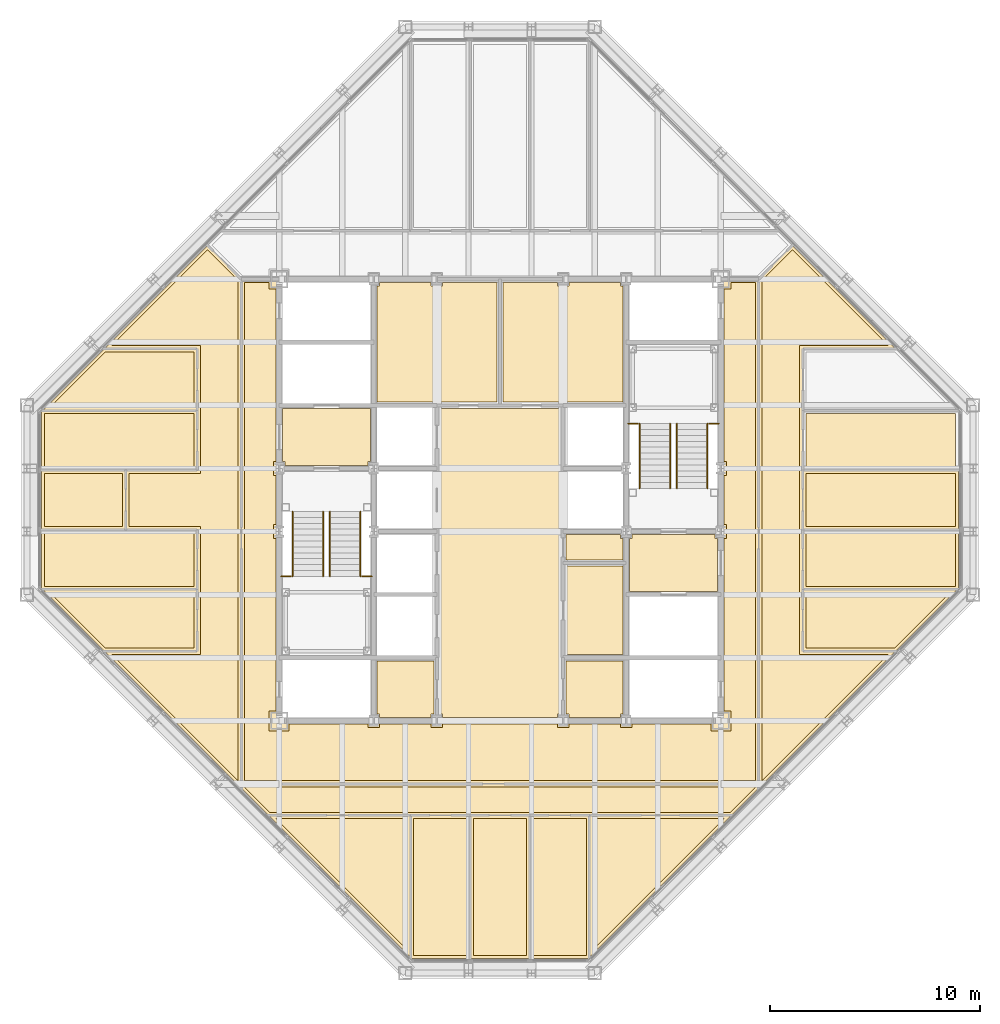
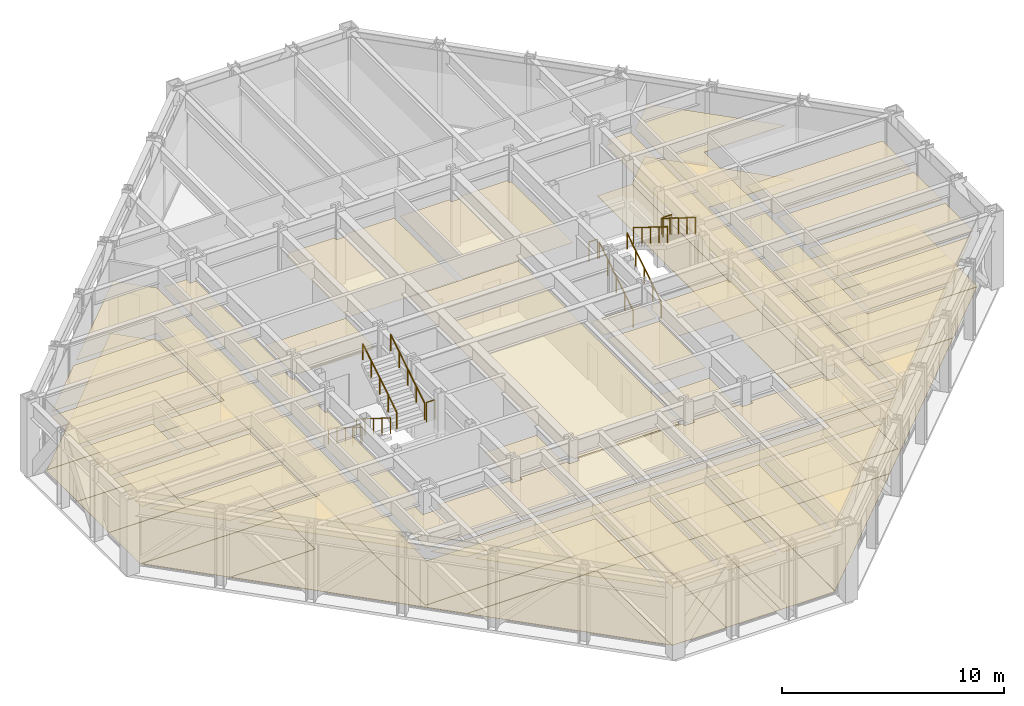
# One storey, part 14 of 15: 42 coverings, 12 railings.
"""IFC4 building model written with IfcOpenShell, lengths in metres."""

from ifc_helpers import new_model, si_unit, direction, frame, origin, origin_2d, place, context, subcontext, project, spatial, polyline, circle, outline, extrude, material, layer, layer_set, type_object, element, save


model = new_model("IFC4")

# Units and contexts
model_context = context("Model", 3, precision=1e-05, world=origin(), true_north=direction((0.0, 1.0)))
body_context = subcontext(model_context, "Body", "Model", "MODEL_VIEW")
ifc_project = project(units=[si_unit("LENGTHUNIT", "METRE"), si_unit("AREAUNIT", "SQUARE_METRE"), si_unit("VOLUMEUNIT", "CUBIC_METRE"), si_unit("PLANEANGLEUNIT", "RADIAN"), si_unit("MASSUNIT", "GRAM", prefix="KILO")], contexts=[model_context])

# Site, building, storey
site_placement = place(None, origin())
site = spatial("IfcSite", under=ifc_project, at=site_placement, CompositionType="ELEMENT")
building_placement = place(site_placement, origin())
building = spatial("IfcBuilding", under=site, at=building_placement, Name="Chuquiago Exchange Tower", CompositionType="ELEMENT")
storey_placement = place(building_placement, frame((0.0, 0.0, 262.199951171875)))
storey = spatial("IfcBuildingStorey", under=building, at=storey_placement, Name="L58", CompositionType="ELEMENT", Elevation=262.199951171875)

# Coverings
ifc_material_1 = material(Name="Mineral fibre tile, 600 x 600, on pale metal grid", Category="mineral fibre")
ifc_layer_1 = layer(ifc_material_1, 0.02001953125)
ifc_layer_set_1 = layer_set([ifc_layer_1], Name="CL1 suspended tile ceiling 20")
covering_type_1 = type_object("IfcCoveringType", Name="CL1 suspended tile ceiling 20", PredefinedType="CEILING", material=ifc_layer_set_1)
covering_1_placement = place(storey_placement, frame((0.0, 0.0, 3.0)))
element("IfcCovering", 1, at=covering_1_placement, inside=storey, type_object=covering_type_1, Name="Ceiling Conference room", PredefinedType="CEILING", context=body_context, shape_type="SweptSolid", body=[
    extrude(outline(polyline([(18.098388671875, 7.35009765625), (18.098388671875, 1.103515625), (11.85205078125, 7.35009765625), (18.098388671875, 7.35009765625)])), origin(), (0.0, 0.0, 1.0), 0.02001953125),
])
covering_2_placement = place(storey_placement, frame((0.0, 0.0, 3.0)))
element("IfcCovering", 2, at=covering_2_placement, inside=storey, type_object=covering_type_1, Name="Ceiling Executive office", PredefinedType="CEILING", context=body_context, shape_type="SweptSolid", body=[
    extrude(outline(polyline([(18.3984375, 7.35009765625), (20.932861328125, 7.35009765625), (20.932861328125, 0.85009765625), (18.3984375, 0.85009765625), (18.3984375, 7.35009765625)])), origin(), (0.0, 0.0, 1.0), 0.02001953125),
])
covering_3_placement = place(storey_placement, frame((0.0, 0.0, 3.0)))
element("IfcCovering", 3, at=covering_3_placement, inside=storey, type_object=covering_type_1, Name="Ceiling Executive office", PredefinedType="CEILING", context=body_context, shape_type="SweptSolid", body=[
    extrude(outline(polyline([(21.23291015625, 7.35009765625), (23.76708984375, 7.35009765625), (23.76708984375, 0.85009765625), (21.23291015625, 0.85009765625), (21.23291015625, 7.35009765625)])), origin(), (0.0, 0.0, 1.0), 0.02001953125),
])
covering_4_placement = place(storey_placement, frame((0.0, 0.0, 3.0)))
element("IfcCovering", 4, at=covering_4_placement, inside=storey, type_object=covering_type_1, Name="Ceiling Meeting room", PredefinedType="CEILING", context=body_context, shape_type="SweptSolid", body=[
    extrude(outline(polyline([(24.067138671875, 0.85009765625), (24.067138671875, 7.35009765625), (26.6015625, 7.35009765625), (26.6015625, 0.85009765625), (24.067138671875, 0.85009765625)])), origin(), (0.0, 0.0, 1.0), 0.02001953125),
])
covering_5_placement = place(storey_placement, frame((0.0, 0.0, 3.0)))
element("IfcCovering", 5, at=covering_5_placement, inside=storey, type_object=covering_type_1, Name="Ceiling Dining room", PredefinedType="CEILING", context=body_context, shape_type="SweptSolid", body=[
    extrude(outline(polyline([(26.901611328125, 7.35009765625), (33.14794921875, 7.35009765625), (26.901611328125, 1.103515625), (26.901611328125, 7.35009765625)])), origin(), (0.0, 0.0, 1.0), 0.02001953125),
])
covering_6_placement = place(storey_placement, frame((0.0, 0.0, 3.0)))
element("IfcCovering", 6, at=covering_6_placement, inside=storey, type_object=covering_type_1, Name="Ceiling Office", PredefinedType="CEILING", context=body_context, shape_type="SweptSolid", body=[
    extrude(outline(polyline([(37.050048828125, 15.45703125), (37.050048828125, 18.098388671875), (43.896484375, 18.098388671875), (41.255126953125, 15.45703125), (37.050048828125, 15.45703125)])), origin(), (0.0, 0.0, 1.0), 0.02001953125),
])
covering_7_placement = place(storey_placement, frame((0.0, 0.0, 3.0)))
element("IfcCovering", 7, at=covering_7_placement, inside=storey, type_object=covering_type_1, Name="Ceiling Executive office", PredefinedType="CEILING", context=body_context, shape_type="SweptSolid", body=[
    extrude(outline(polyline([(37.050048828125, 18.3984375), (37.050048828125, 20.932861328125), (44.14990234375, 20.932861328125), (44.14990234375, 18.3984375), (37.050048828125, 18.3984375)])), origin(), (0.0, 0.0, 1.0), 0.02001953125),
])
covering_8_placement = place(storey_placement, frame((0.0, 0.0, 3.0)))
element("IfcCovering", 8, at=covering_8_placement, inside=storey, type_object=covering_type_1, Name="Ceiling Executive office", PredefinedType="CEILING", context=body_context, shape_type="SweptSolid", body=[
    extrude(outline(polyline([(37.050048828125, 21.23291015625), (37.050048828125, 23.76708984375), (44.14990234375, 23.76708984375), (44.14990234375, 21.23291015625), (37.050048828125, 21.23291015625)])), origin(), (0.0, 0.0, 1.0), 0.02001953125),
])
covering_9_placement = place(storey_placement, frame((0.0, 0.0, 3.0)))
element("IfcCovering", 9, at=covering_9_placement, inside=storey, type_object=covering_type_1, Name="Ceiling Meeting room", PredefinedType="CEILING", context=body_context, shape_type="SweptSolid", body=[
    extrude(outline(polyline([(44.14990234375, 24.067138671875), (37.050048828125, 24.067138671875), (37.050048828125, 26.6015625), (44.14990234375, 26.6015625), (44.14990234375, 24.067138671875)])), origin(), (0.0, 0.0, 1.0), 0.02001953125),
])
covering_10_placement = place(storey_placement, frame((0.0, 0.0, 3.0)))
element("IfcCovering", 10, at=covering_10_placement, inside=storey, type_object=covering_type_1, Name="Ceiling Executive office", PredefinedType="CEILING", context=body_context, shape_type="SweptSolid", body=[
    extrude(outline(polyline([(7.949951171875, 18.098388671875), (7.949951171875, 15.45703125), (3.744873046875, 15.45703125), (1.103515625, 18.098388671875), (7.949951171875, 18.098388671875)])), origin(), (0.0, 0.0, 1.0), 0.02001953125),
])
covering_11_placement = place(storey_placement, frame((0.0, 0.0, 3.0)))
element("IfcCovering", 11, at=covering_11_placement, inside=storey, type_object=covering_type_1, Name="Ceiling Office", PredefinedType="CEILING", context=body_context, shape_type="SweptSolid", body=[
    extrude(outline(polyline([(0.85009765625, 20.932861328125), (7.949951171875, 20.932861328125), (7.949951171875, 18.3984375), (0.85009765625, 18.3984375), (0.85009765625, 20.932861328125)])), origin(), (0.0, 0.0, 1.0), 0.02001953125),
])
covering_12_placement = place(storey_placement, frame((0.0, 0.0, 3.0)))
element("IfcCovering", 12, at=covering_12_placement, inside=storey, type_object=covering_type_1, Name="Ceiling Pantry", PredefinedType="CEILING", context=body_context, shape_type="SweptSolid", body=[
    extrude(outline(polyline([(4.550048828125, 23.76708984375), (4.550048828125, 21.23291015625), (0.85009765625, 21.23291015625), (0.85009765625, 23.76708984375), (4.550048828125, 23.76708984375)])), origin(), (0.0, 0.0, 1.0), 0.02001953125),
])
covering_13_placement = place(storey_placement, frame((0.0, 0.0, 3.0)))
element("IfcCovering", 13, at=covering_13_placement, inside=storey, type_object=covering_type_1, Name="Ceiling Office", PredefinedType="CEILING", context=body_context, shape_type="SweptSolid", body=[
    extrude(outline(polyline([(7.949951171875, 26.6015625), (7.949951171875, 24.067138671875), (0.85009765625, 24.067138671875), (0.85009765625, 26.6015625), (7.949951171875, 26.6015625)])), origin(), (0.0, 0.0, 1.0), 0.02001953125),
])
covering_14_placement = place(storey_placement, frame((0.0, 0.0, 3.0)))
element("IfcCovering", 14, at=covering_14_placement, inside=storey, type_object=covering_type_1, Name="Ceiling Executive office", PredefinedType="CEILING", context=body_context, shape_type="SweptSolid", body=[
    extrude(outline(polyline([(7.949951171875, 29.54296875), (7.949951171875, 26.901611328125), (1.103515625, 26.901611328125), (3.744873046875, 29.54296875), (7.949951171875, 29.54296875)])), origin(), (0.0, 0.0, 1.0), 0.02001953125),
])
covering_15_placement = place(storey_placement, frame((0.0, 0.0, 3.0)))
element("IfcCovering", 15, at=covering_15_placement, inside=storey, type_object=covering_type_1, Name="Ceiling Executive corridor", PredefinedType="CEILING", context=body_context, shape_type="SweptSolid", body=[
    extrude(outline(polyline([(16.22509765625, 11.85009765625), (16.22509765625, 11.67578125), (16.77490234375, 11.67578125), (16.77490234375, 11.85009765625), (19.22509765625, 11.85009765625), (19.22509765625, 11.67578125), (19.77490234375, 11.67578125), (19.77490234375, 11.85009765625), (25.22509765625, 11.85009765625), (25.22509765625, 11.67578125), (25.77490234375, 11.67578125), (25.77490234375, 11.85009765625), (28.22509765625, 11.85009765625), (28.22509765625, 11.67578125), (28.77490234375, 11.67578125), (28.77490234375, 11.85009765625), (32.52490234375, 11.85009765625), (32.52490234375, 11.52490234375), (33.47509765625, 11.52490234375), (33.47509765625, 12.47509765625), (33.14990234375, 12.47509765625), (33.14990234375, 20.67578125), (33.27490234375, 20.67578125), (33.27490234375, 21.32421875), (33.14990234375, 21.32421875), (33.14990234375, 23.67578125), (33.27490234375, 23.67578125), (33.27490234375, 24.32421875), (33.14990234375, 24.32421875), (33.14990234375, 32.52490234375), (33.47509765625, 32.52490234375), (33.47509765625, 32.85009765625), (34.64990234375, 32.85009765625), (34.64990234375, 9.14990234375), (10.35009765625, 9.14990234375), (10.35009765625, 32.85009765625), (11.52490234375, 32.85009765625), (11.52490234375, 32.52490234375), (11.85009765625, 32.52490234375), (11.85009765625, 24.32421875), (11.72509765625, 24.32421875), (11.72509765625, 23.67578125), (11.85009765625, 23.67578125), (11.85009765625, 21.32421875), (11.72509765625, 21.32421875), (11.72509765625, 20.67578125), (11.85009765625, 20.67578125), (11.85009765625, 12.47509765625), (11.52490234375, 12.47509765625), (11.52490234375, 11.52490234375), (12.47509765625, 11.52490234375), (12.47509765625, 11.85009765625), (16.22509765625, 11.85009765625)])), origin(), (0.0, 0.0, 1.0), 0.02001953125),
])
covering_16_placement = place(storey_placement, frame((0.0, 0.0, 3.0)))
element("IfcCovering", 16, at=covering_16_placement, inside=storey, type_object=covering_type_1, Name="Ceiling Executive reception west", PredefinedType="CEILING", context=body_context, shape_type="SweptSolid", body=[
    extrude(outline(polyline([(8.594482421875, 34.392578125), (10.050048828125, 32.9375), (10.050048828125, 9.152099609375), (4.044921875, 15.156982421875), (8.25, 15.156982421875), (8.25, 21.23291015625), (4.85009765625, 21.23291015625), (4.85009765625, 23.76708984375), (8.25, 23.76708984375), (8.25, 29.843017578125), (4.044921875, 29.843017578125), (8.594482421875, 34.392578125)])), origin(), (0.0, 0.0, 1.0), 0.02001953125),
])
covering_17_placement = place(storey_placement, frame((0.0, 0.0, 3.0)))
element("IfcCovering", 17, at=covering_17_placement, inside=storey, type_object=covering_type_1, Name="Ceiling Executive reception west", PredefinedType="CEILING", context=body_context, shape_type="SweptSolid", body=[
    extrude(outline(polyline([(34.949951171875, 32.9375), (36.405517578125, 34.392578125), (40.955078125, 29.843017578125), (36.75, 29.843017578125), (36.75, 15.156982421875), (40.955078125, 15.156982421875), (34.949951171875, 9.152099609375), (34.949951171875, 32.9375)])), origin(), (0.0, 0.0, 1.0), 0.02001953125),
])
covering_18_placement = place(storey_placement, frame((0.0, 0.0, 3.0)))
element("IfcCovering", 18, at=covering_18_placement, inside=storey, type_object=covering_type_1, Name="Ceiling Executive reception west", PredefinedType="CEILING", context=body_context, shape_type="SweptSolid", body=[
    extrude(outline(polyline([(34.64794921875, 8.85009765625), (33.447998046875, 7.64990234375), (11.552001953125, 7.64990234375), (10.35205078125, 8.85009765625), (34.64794921875, 8.85009765625)])), origin(), (0.0, 0.0, 1.0), 0.02001953125),
])
covering_19_placement = place(storey_placement, frame((0.0, 0.0, 3.0)))
element("IfcCovering", 19, at=covering_19_placement, inside=storey, type_object=covering_type_1, Name="Ceiling IT equipment room", PredefinedType="CEILING", context=body_context, shape_type="SweptSolid", body=[
    extrude(outline(polyline([(25.64990234375, 15.14990234375), (25.64990234375, 19.35009765625), (28.35009765625, 19.35009765625), (28.35009765625, 15.14990234375), (25.64990234375, 15.14990234375)])), origin(), (0.0, 0.0, 1.0), 0.02001953125),
])
covering_20_placement = place(storey_placement, frame((0.0, 0.0, 3.0)))
element("IfcCovering", 20, at=covering_20_placement, inside=storey, type_object=covering_type_1, Name="Ceiling Vending room", PredefinedType="CEILING", context=body_context, shape_type="SweptSolid", body=[
    extrude(outline(polyline([(25.64990234375, 19.64990234375), (25.64990234375, 20.85009765625), (28.22509765625, 20.85009765625), (28.22509765625, 20.67578125), (28.35009765625, 20.67578125), (28.35009765625, 19.64990234375), (25.64990234375, 19.64990234375)])), origin(), (0.0, 0.0, 1.0), 0.02001953125),
])
ifc_material_2 = material(Name="Moisture resistant plasterboard on metal frame", Category="gypsum")
ifc_layer_2 = layer(ifc_material_2, 0.014892578125)
ifc_layer_set_2 = layer_set([ifc_layer_2], Name="CL2 moisture resistant ceiling 15")
covering_type_2 = type_object("IfcCoveringType", Name="CL2 moisture resistant ceiling 15", PredefinedType="CEILING", material=ifc_layer_set_2)
covering_21_placement = place(storey_placement, frame((0.0, 0.0, 2.60009765625)))
element("IfcCovering", 21, at=covering_21_placement, inside=storey, type_object=covering_type_2, Name="Ceiling Male WC", PredefinedType="CEILING", context=body_context, shape_type="SweptSolid", body=[
    extrude(outline(polyline([(16.64990234375, 27.14990234375), (16.64990234375, 32.67578125), (16.77490234375, 32.67578125), (16.77490234375, 32.85009765625), (19.22509765625, 32.85009765625), (19.22509765625, 32.67578125), (19.77490234375, 32.67578125), (19.77490234375, 32.85009765625), (22.35009765625, 32.85009765625), (22.35009765625, 27.14990234375), (16.64990234375, 27.14990234375)])), origin(), (0.0, 0.0, 1.0), 0.014892578125),
])
covering_22_placement = place(storey_placement, frame((0.0, 0.0, 2.60009765625)))
element("IfcCovering", 22, at=covering_22_placement, inside=storey, type_object=covering_type_2, Name="Ceiling Female WC", PredefinedType="CEILING", context=body_context, shape_type="SweptSolid", body=[
    extrude(outline(polyline([(22.64990234375, 27.14990234375), (22.64990234375, 32.85009765625), (25.22509765625, 32.85009765625), (25.22509765625, 32.67578125), (25.77490234375, 32.67578125), (25.77490234375, 32.85009765625), (28.22509765625, 32.85009765625), (28.22509765625, 32.67578125), (28.35009765625, 32.67578125), (28.35009765625, 27.14990234375), (22.64990234375, 27.14990234375)])), origin(), (0.0, 0.0, 1.0), 0.014892578125),
])
covering_23_placement = place(storey_placement, frame((0.0, 0.0, 2.60009765625)))
element("IfcCovering", 23, at=covering_23_placement, inside=storey, type_object=covering_type_2, Name="Ceiling Accessible WC", PredefinedType="CEILING", context=body_context, shape_type="SweptSolid", body=[
    extrude(outline(polyline([(25.77490234375, 12.14990234375), (25.77490234375, 12.32421875), (25.64990234375, 12.32421875), (25.64990234375, 14.85009765625), (28.35009765625, 14.85009765625), (28.35009765625, 12.32421875), (28.22509765625, 12.32421875), (28.22509765625, 12.14990234375), (25.77490234375, 12.14990234375)])), origin(), (0.0, 0.0, 1.0), 0.014892578125),
])
covering_24_placement = place(storey_placement, frame((0.0, 0.0, 2.60009765625)))
element("IfcCovering", 24, at=covering_24_placement, inside=storey, type_object=covering_type_2, Name="Ceiling Cleaner", PredefinedType="CEILING", context=body_context, shape_type="SweptSolid", body=[
    extrude(outline(polyline([(16.77490234375, 12.14990234375), (16.77490234375, 12.32421875), (16.64990234375, 12.32421875), (16.64990234375, 14.85009765625), (19.35009765625, 14.85009765625), (19.35009765625, 12.32421875), (19.22509765625, 12.32421875), (19.22509765625, 12.14990234375), (16.77490234375, 12.14990234375)])), origin(), (0.0, 0.0, 1.0), 0.014892578125),
])
ifc_material_3 = material(Name="Pale metal plank ceiling, perforated", Category="aluminium")
ifc_layer_3 = layer(ifc_material_3, 0.030029296875)
ifc_layer_set_3 = layer_set([ifc_layer_3], Name="CL3 metal plank ceiling 30")
covering_type_3 = type_object("IfcCoveringType", Name="CL3 metal plank ceiling 30", PredefinedType="CEILING", material=ifc_layer_set_3)
covering_25_placement = place(storey_placement, frame((0.0, 0.0, 2.800048828125)))
element("IfcCovering", 25, at=covering_25_placement, inside=storey, type_object=covering_type_3, Name="Ceiling Lift lobby", PredefinedType="CEILING", context=body_context, shape_type="SweptSolid", body=[
    extrude(outline(polyline([(19.77490234375, 12.14990234375), (19.77490234375, 12.32421875), (19.64990234375, 12.32421875), (19.64990234375, 26.85009765625), (25.35009765625, 26.85009765625), (25.35009765625, 12.32421875), (25.22509765625, 12.32421875), (25.22509765625, 12.14990234375), (19.77490234375, 12.14990234375)])), origin(), (0.0, 0.0, 1.0), 0.030029296875),
])
covering_26_placement = place(storey_placement, frame((0.0, 0.0, 2.800048828125)))
element("IfcCovering", 26, at=covering_26_placement, inside=storey, type_object=covering_type_3, Name="Ceiling Firefighting lobby", PredefinedType="CEILING", context=body_context, shape_type="SweptSolid", body=[
    extrude(outline(polyline([(12.27490234375, 24.14990234375), (12.27490234375, 24.32421875), (12.14990234375, 24.32421875), (12.14990234375, 26.85009765625), (16.35009765625, 26.85009765625), (16.35009765625, 24.32421875), (16.22509765625, 24.32421875), (16.22509765625, 24.14990234375), (12.27490234375, 24.14990234375)])), origin(), (0.0, 0.0, 1.0), 0.030029296875),
])
covering_27_placement = place(storey_placement, frame((0.0, 0.0, 2.800048828125)))
element("IfcCovering", 27, at=covering_27_placement, inside=storey, type_object=covering_type_3, Name="Ceiling Firefighting lobby", PredefinedType="CEILING", context=body_context, shape_type="SweptSolid", body=[
    extrude(outline(polyline([(28.64990234375, 18.14990234375), (28.64990234375, 20.67578125), (28.77490234375, 20.67578125), (28.77490234375, 20.85009765625), (32.72509765625, 20.85009765625), (32.72509765625, 20.67578125), (32.85009765625, 20.67578125), (32.85009765625, 18.14990234375), (28.64990234375, 18.14990234375)])), origin(), (0.0, 0.0, 1.0), 0.030029296875),
])
ifc_material_4 = material(Name="Carpet tile, 500 x 500, on the floor slab", Category="textile")
ifc_layer_4 = layer(ifc_material_4, 0.010009765625)
ifc_layer_set_4 = layer_set([ifc_layer_4], Name="FL1 carpet tile 10")
covering_type_4 = type_object("IfcCoveringType", Name="FL1 carpet tile 10", PredefinedType="FLOORING", material=ifc_layer_set_4)
covering_28_placement = place(storey_placement, origin())
element("IfcCovering", 28, at=covering_28_placement, inside=storey, type_object=covering_type_4, Name="Floor finish Conference room", PredefinedType="FLOORING", context=body_context, shape_type="SweptSolid", body=[
    extrude(outline(polyline([(11.489990234375, 7.5), (18.24853515625, 7.5), (18.24853515625, 0.741455078125), (11.489990234375, 7.5)])), origin(), (0.0, 0.0, 1.0), 0.010009765625),
])
covering_29_placement = place(storey_placement, origin())
element("IfcCovering", 29, at=covering_29_placement, inside=storey, type_object=covering_type_4, Name="Floor finish Executive office", PredefinedType="FLOORING", context=body_context, shape_type="SweptSolid", body=[
    extrude(outline(polyline([(18.289794921875, 0.699951171875), (18.24853515625, 0.741455078125), (18.24853515625, 7.5), (21.082763671875, 7.5), (21.082763671875, 0.699951171875), (18.289794921875, 0.699951171875)])), origin(), (0.0, 0.0, 1.0), 0.010009765625),
])
covering_30_placement = place(storey_placement, origin())
element("IfcCovering", 30, at=covering_30_placement, inside=storey, type_object=covering_type_4, Name="Floor finish Executive office", PredefinedType="FLOORING", context=body_context, shape_type="SweptSolid", body=[
    extrude(outline(polyline([(21.082763671875, 0.699951171875), (21.082763671875, 7.5), (23.917236328125, 7.5), (23.917236328125, 0.699951171875), (21.082763671875, 0.699951171875)])), origin(), (0.0, 0.0, 1.0), 0.010009765625),
])
covering_31_placement = place(storey_placement, origin())
element("IfcCovering", 31, at=covering_31_placement, inside=storey, type_object=covering_type_4, Name="Floor finish Meeting room", PredefinedType="FLOORING", context=body_context, shape_type="SweptSolid", body=[
    extrude(outline(polyline([(26.710205078125, 0.699951171875), (23.917236328125, 0.699951171875), (23.917236328125, 7.5), (26.75146484375, 7.5), (26.75146484375, 0.741455078125), (26.710205078125, 0.699951171875)])), origin(), (0.0, 0.0, 1.0), 0.010009765625),
])
covering_32_placement = place(storey_placement, origin())
element("IfcCovering", 32, at=covering_32_placement, inside=storey, type_object=covering_type_4, Name="Floor finish Office", PredefinedType="FLOORING", context=body_context, shape_type="SweptSolid", body=[
    extrude(outline(polyline([(41.317138671875, 15.30712890625), (36.89990234375, 15.30712890625), (36.89990234375, 18.24853515625), (44.258544921875, 18.24853515625), (41.317138671875, 15.30712890625)])), origin(), (0.0, 0.0, 1.0), 0.010009765625),
])
covering_33_placement = place(storey_placement, origin())
element("IfcCovering", 33, at=covering_33_placement, inside=storey, type_object=covering_type_4, Name="Floor finish Executive office", PredefinedType="FLOORING", context=body_context, shape_type="SweptSolid", body=[
    extrude(outline(polyline([(44.300048828125, 18.289794921875), (44.258544921875, 18.24853515625), (36.89990234375, 18.24853515625), (36.89990234375, 21.082763671875), (44.300048828125, 21.082763671875), (44.300048828125, 18.289794921875)])), origin(), (0.0, 0.0, 1.0), 0.010009765625),
])
covering_34_placement = place(storey_placement, origin())
element("IfcCovering", 34, at=covering_34_placement, inside=storey, type_object=covering_type_4, Name="Floor finish Executive office", PredefinedType="FLOORING", context=body_context, shape_type="SweptSolid", body=[
    extrude(outline(polyline([(44.300048828125, 21.082763671875), (36.89990234375, 21.082763671875), (36.89990234375, 23.917236328125), (44.300048828125, 23.917236328125), (44.300048828125, 21.082763671875)])), origin(), (0.0, 0.0, 1.0), 0.010009765625),
])
covering_35_placement = place(storey_placement, origin())
element("IfcCovering", 35, at=covering_35_placement, inside=storey, type_object=covering_type_4, Name="Floor finish Executive office", PredefinedType="FLOORING", context=body_context, shape_type="SweptSolid", body=[
    extrude(outline(polyline([(0.741455078125, 18.24853515625), (8.10009765625, 18.24853515625), (8.10009765625, 15.30712890625), (3.682861328125, 15.30712890625), (0.741455078125, 18.24853515625)])), origin(), (0.0, 0.0, 1.0), 0.010009765625),
])
covering_36_placement = place(storey_placement, origin())
element("IfcCovering", 36, at=covering_36_placement, inside=storey, type_object=covering_type_4, Name="Floor finish Office", PredefinedType="FLOORING", context=body_context, shape_type="SweptSolid", body=[
    extrude(outline(polyline([(0.699951171875, 21.082763671875), (8.10009765625, 21.082763671875), (8.10009765625, 18.24853515625), (0.741455078125, 18.24853515625), (0.699951171875, 18.289794921875), (0.699951171875, 21.082763671875)])), origin(), (0.0, 0.0, 1.0), 0.010009765625),
])
covering_37_placement = place(storey_placement, origin())
element("IfcCovering", 37, at=covering_37_placement, inside=storey, type_object=covering_type_4, Name="Floor finish Office", PredefinedType="FLOORING", context=body_context, shape_type="SweptSolid", body=[
    extrude(outline(polyline([(0.699951171875, 26.710205078125), (0.741455078125, 26.75146484375), (8.10009765625, 26.75146484375), (8.10009765625, 23.917236328125), (0.699951171875, 23.917236328125), (0.699951171875, 26.710205078125)])), origin(), (0.0, 0.0, 1.0), 0.010009765625),
])
covering_38_placement = place(storey_placement, origin())
element("IfcCovering", 38, at=covering_38_placement, inside=storey, type_object=covering_type_4, Name="Floor finish Executive office", PredefinedType="FLOORING", context=body_context, shape_type="SweptSolid", body=[
    extrude(outline(polyline([(3.682861328125, 29.69287109375), (8.10009765625, 29.69287109375), (8.10009765625, 26.75146484375), (0.741455078125, 26.75146484375), (3.682861328125, 29.69287109375)])), origin(), (0.0, 0.0, 1.0), 0.010009765625),
])
ifc_material_5 = material(Name="Porcelain floor tile, 600 x 600, on adhesive bed", Category="ceramic")
ifc_layer_5 = layer(ifc_material_5, 0.014892578125)
ifc_layer_set_5 = layer_set([ifc_layer_5], Name="FL2 porcelain tile 15")
covering_type_5 = type_object("IfcCoveringType", Name="FL2 porcelain tile 15", PredefinedType="FLOORING", material=ifc_layer_set_5)
covering_39_placement = place(storey_placement, origin())
element("IfcCovering", 39, at=covering_39_placement, inside=storey, type_object=covering_type_5, Name="Floor finish Dining room", PredefinedType="FLOORING", context=body_context, shape_type="SweptSolid", body=[
    extrude(outline(polyline([(26.75146484375, 0.741455078125), (26.75146484375, 7.5), (33.510009765625, 7.5), (26.75146484375, 0.741455078125)])), origin(), (0.0, 0.0, 1.0), 0.01513671875),
])
covering_40_placement = place(storey_placement, origin())
element("IfcCovering", 40, at=covering_40_placement, inside=storey, type_object=covering_type_5, Name="Floor finish Pantry", PredefinedType="FLOORING", context=body_context, shape_type="SweptSolid", body=[
    extrude(outline(polyline([(0.699951171875, 23.917236328125), (4.699951171875, 23.917236328125), (4.699951171875, 21.082763671875), (0.699951171875, 21.082763671875), (0.699951171875, 23.917236328125)])), origin(), (0.0, 0.0, 1.0), 0.01513671875),
])
covering_41_placement = place(storey_placement, origin())
element("IfcCovering", 41, at=covering_41_placement, inside=storey, type_object=covering_type_5, Name="Floor finish Executive corridor", PredefinedType="FLOORING", context=body_context, shape_type="SweptSolid", body=[
    extrude(outline(polyline([(12.0, 12.0), (33.0, 12.0), (33.0, 33.0), (34.800048828125, 33.0), (34.800048828125, 9.0), (10.199951171875, 9.0), (10.199951171875, 33.0), (12.0, 33.0), (12.0, 12.0)])), origin(), (0.0, 0.0, 1.0), 0.01513671875),
])
covering_42_placement = place(storey_placement, origin())
element("IfcCovering", 42, at=covering_42_placement, inside=storey, type_object=covering_type_5, Name="Floor finish Executive reception west", PredefinedType="FLOORING", context=body_context, shape_type="SweptSolid", body=[
    extrude(outline(polyline([(41.317138671875, 29.69287109375), (36.89990234375, 29.69287109375), (36.89990234375, 26.75146484375), (36.89990234375, 15.30712890625), (41.317138671875, 15.30712890625), (33.510009765625, 7.5), (11.489990234375, 7.5), (18.24853515625, 0.741455078125), (3.682861328125, 15.30712890625), (8.10009765625, 15.30712890625), (8.10009765625, 21.082763671875), (4.699951171875, 21.082763671875), (4.699951171875, 23.917236328125), (8.10009765625, 23.917236328125), (8.10009765625, 29.69287109375), (3.682861328125, 29.69287109375), (0.8505859375, 26.860595703125), (8.594482421875, 34.604736328125), (10.199951171875, 32.99951171875), (10.199951171875, 9.0), (34.800048828125, 9.0), (34.800048828125, 32.99951171875), (36.405517578125, 34.604736328125), (41.317138671875, 29.69287109375)])), origin(), (0.0, 0.0, 1.0), 0.01513671875),
])

# Railings
ifc_material_6 = material(Name="Pale metal guard with safety glass infill", Category="glass")
railing_type_1 = type_object("IfcRailingType", Name="GR1 guard 1100", PredefinedType="GUARDRAIL", material=ifc_material_6)
for number, where, name in (
    (43, (12.10009765625, 18.8701171875, 2.10009765625), "Guard ST1 L58 landing 2"),
    (44, (15.945068359375, 18.8701171875, 2.10009765625), "Guard ST1 L58 landing 2"),
    (45, (28.60009765625, 26.1298828125, 2.10009765625), "Guard ST2 L58 landing 2"),
    (46, (32.445068359375, 26.1298828125, 2.10009765625), "Guard ST2 L58 landing 2"),
):
    element("IfcRailing", number, at=place(storey_placement, frame(where)), inside=storey, type_object=railing_type_1, Name=name, PredefinedType="GUARDRAIL", context=body_context, shape_type="SweptSolid", body=[
        extrude(circle(Radius=0.02392578125, at=origin_2d()), frame((0.0, 0.0, 1.076171875), z_axis=(1.0, 0.0, 0.0), x_axis=(0.0, 1.0, 0.0)), (0.0, 0.0, 1.0), 0.454833984375),
        extrude(circle(Radius=0.02099609375, at=origin_2d()), origin(), (0.0, 0.0, 1.0), 1.052001953125),
        extrude(circle(Radius=0.02099609375, at=origin_2d()), frame((0.454833984375, 0.0, 0.0)), (0.0, 0.0, 1.0), 1.052001953125),
    ])
ifc_material_7 = material(Name="Pale metal handrail", Category="steel")
railing_type_2 = type_object("IfcRailingType", Name="HR1 handrail 900", PredefinedType="HANDRAIL", material=ifc_material_7)
for number, where, name in (
    (47, (12.635009765625, 21.949951171875, 0.175048828125), "Handrail ST1 L58 flight 1"),
    (48, (14.0849609375, 21.949951171875, 0.175048828125), "Handrail ST1 L58 flight 1"),
):
    element("IfcRailing", number, at=place(storey_placement, frame(where)), inside=storey, type_object=railing_type_2, Name=name, PredefinedType="HANDRAIL", context=body_context, shape_type="SweptSolid", body=[
        extrude(circle(Radius=0.02392578125, at=origin_2d()), frame((0.0, 0.0, 0.8759765625), z_axis=(0.0, -0.847979421464, 0.530029150871), x_axis=(1.0, 0.0, 0.0)), (0.0, 0.0, 1.0), 3.632080078125),
        extrude(circle(Radius=0.02099609375, at=origin_2d()), origin(), (0.0, 0.0, 1.0), 0.851806640625),
        extrude(circle(Radius=0.02099609375, at=origin_2d()), frame((0.0, -0.77001953125, 0.481201171875)), (0.0, 0.0, 1.0), 0.851806640625),
        extrude(circle(Radius=0.02099609375, at=origin_2d()), frame((0.0, -1.5400390625, 0.96240234375)), (0.0, 0.0, 1.0), 0.851806640625),
        extrude(circle(Radius=0.02099609375, at=origin_2d()), frame((0.0, -2.309814453125, 1.44384765625)), (0.0, 0.0, 1.0), 0.851806640625),
        extrude(circle(Radius=0.02099609375, at=origin_2d()), frame((0.0, -3.079833984375, 1.925048828125)), (0.0, 0.0, 1.0), 0.851806640625),
    ])
for number, where, name in (
    (49, (15.864990234375, 18.8701171875, 2.275146484375), "Handrail ST1 L58 flight 2"),
    (50, (14.4150390625, 18.8701171875, 2.275146484375), "Handrail ST1 L58 flight 2"),
):
    element("IfcRailing", number, at=place(storey_placement, frame(where)), inside=storey, type_object=railing_type_2, Name=name, PredefinedType="HANDRAIL", context=body_context, shape_type="SweptSolid", body=[
        extrude(circle(Radius=0.02392578125, at=origin_2d()), frame((0.0, 0.0, 0.8759765625), z_axis=(0.0, 0.848009633417, 0.529980812513), x_axis=(-1.0, 0.0, 0.0)), (0.0, 0.0, 1.0), 3.6318359375),
        extrude(circle(Radius=0.02099609375, at=origin_2d()), origin(), (0.0, 0.0, 1.0), 0.851806640625),
        extrude(circle(Radius=0.02099609375, at=origin_2d()), frame((0.0, 0.77001953125, 0.481201171875)), (0.0, 0.0, 1.0), 0.851806640625),
        extrude(circle(Radius=0.02099609375, at=origin_2d()), frame((0.0, 1.5400390625, 0.96240234375)), (0.0, 0.0, 1.0), 0.851806640625),
        extrude(circle(Radius=0.02099609375, at=origin_2d()), frame((0.0, 2.309814453125, 1.443603515625)), (0.0, 0.0, 1.0), 0.851806640625),
        extrude(circle(Radius=0.02099609375, at=origin_2d()), frame((0.0, 3.079833984375, 1.9248046875)), (0.0, 0.0, 1.0), 0.851806640625),
    ])
for number, where, name in (
    (51, (30.5849609375, 23.050048828125, 0.175048828125), "Handrail ST2 L58 flight 1"),
    (52, (29.135009765625, 23.050048828125, 0.175048828125), "Handrail ST2 L58 flight 1"),
):
    element("IfcRailing", number, at=place(storey_placement, frame(where)), inside=storey, type_object=railing_type_2, Name=name, PredefinedType="HANDRAIL", context=body_context, shape_type="SweptSolid", body=[
        extrude(circle(Radius=0.02392578125, at=origin_2d()), frame((0.0, 0.0, 0.8759765625), z_axis=(0.0, 0.847979421464, 0.530029150871), x_axis=(-1.0, 0.0, 0.0)), (0.0, 0.0, 1.0), 3.632080078125),
        extrude(circle(Radius=0.02099609375, at=origin_2d()), origin(), (0.0, 0.0, 1.0), 0.851806640625),
        extrude(circle(Radius=0.02099609375, at=origin_2d()), frame((0.0, 0.77001953125, 0.481201171875)), (0.0, 0.0, 1.0), 0.851806640625),
        extrude(circle(Radius=0.02099609375, at=origin_2d()), frame((0.0, 1.5400390625, 0.96240234375)), (0.0, 0.0, 1.0), 0.851806640625),
        extrude(circle(Radius=0.02099609375, at=origin_2d()), frame((0.0, 2.309814453125, 1.44384765625)), (0.0, 0.0, 1.0), 0.851806640625),
        extrude(circle(Radius=0.02099609375, at=origin_2d()), frame((0.0, 3.079833984375, 1.925048828125)), (0.0, 0.0, 1.0), 0.851806640625),
    ])
for number, where, name in (
    (53, (30.9150390625, 26.1298828125, 2.275146484375), "Handrail ST2 L58 flight 2"),
    (54, (32.364990234375, 26.1298828125, 2.275146484375), "Handrail ST2 L58 flight 2"),
):
    element("IfcRailing", number, at=place(storey_placement, frame(where)), inside=storey, type_object=railing_type_2, Name=name, PredefinedType="HANDRAIL", context=body_context, shape_type="SweptSolid", body=[
        extrude(circle(Radius=0.02392578125, at=origin_2d()), frame((0.0, 0.0, 0.8759765625), z_axis=(0.0, -0.848009633417, 0.529980812513), x_axis=(1.0, 0.0, 0.0)), (0.0, 0.0, 1.0), 3.6318359375),
        extrude(circle(Radius=0.02099609375, at=origin_2d()), origin(), (0.0, 0.0, 1.0), 0.851806640625),
        extrude(circle(Radius=0.02099609375, at=origin_2d()), frame((0.0, -0.77001953125, 0.481201171875)), (0.0, 0.0, 1.0), 0.851806640625),
        extrude(circle(Radius=0.02099609375, at=origin_2d()), frame((0.0, -1.5400390625, 0.96240234375)), (0.0, 0.0, 1.0), 0.851806640625),
        extrude(circle(Radius=0.02099609375, at=origin_2d()), frame((0.0, -2.309814453125, 1.443603515625)), (0.0, 0.0, 1.0), 0.851806640625),
        extrude(circle(Radius=0.02099609375, at=origin_2d()), frame((0.0, -3.079833984375, 1.9248046875)), (0.0, 0.0, 1.0), 0.851806640625),
    ])

save(model, "model.ifc")
